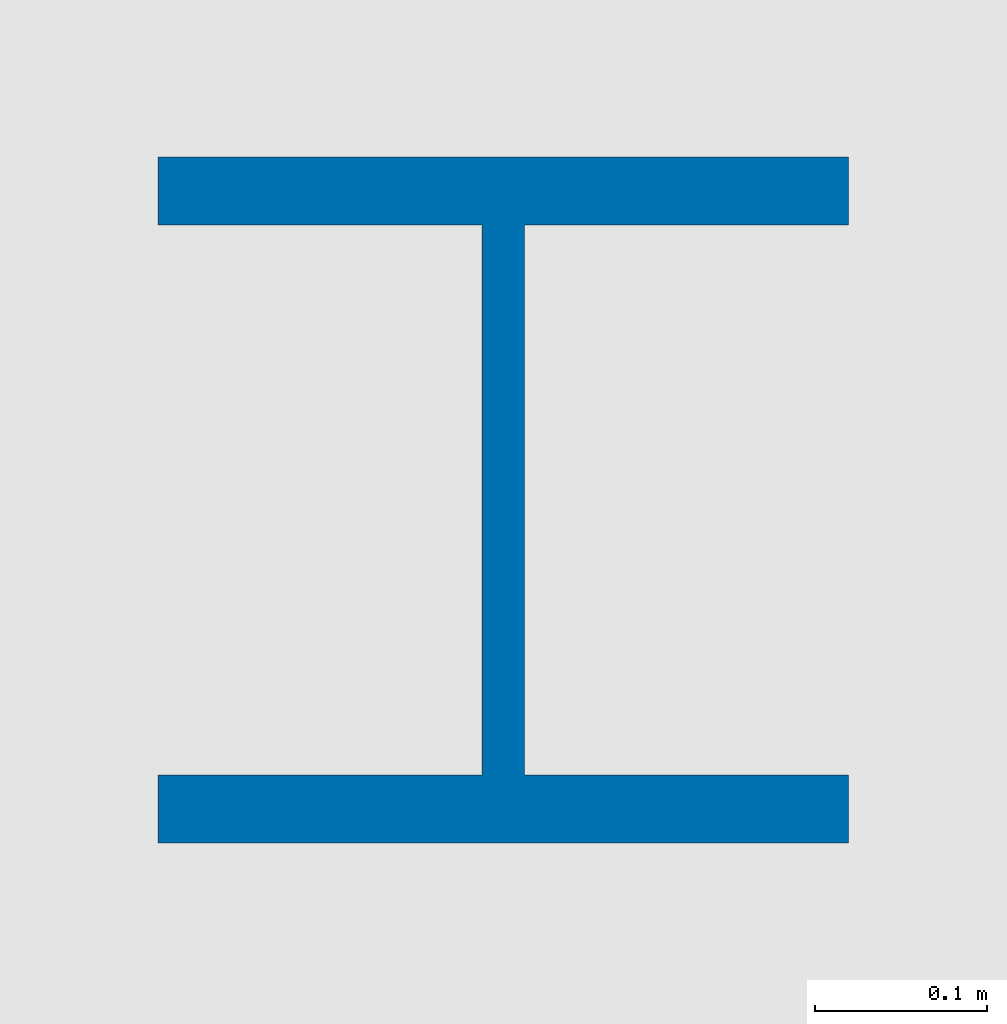
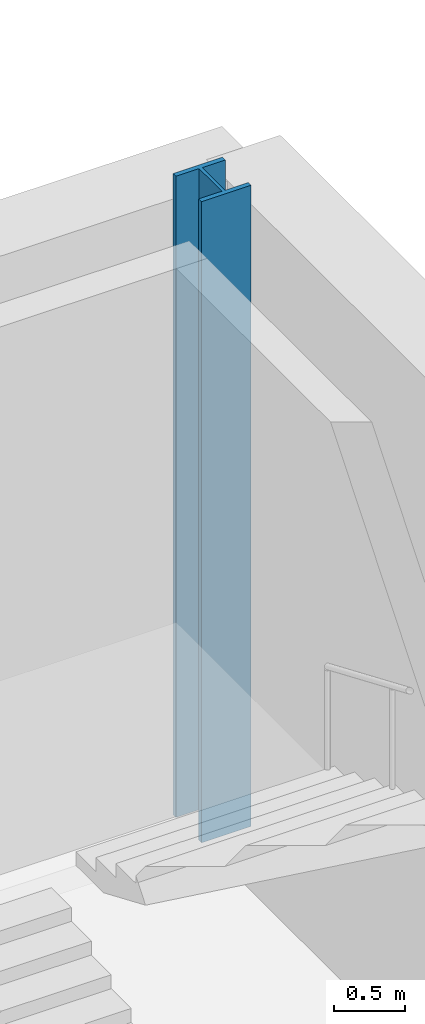
# One storey, part 6 of 28: 1 column.
"""IFC4 building model written with IfcOpenShell, lengths in metres."""

import ifcopenshell
import ifcopenshell.guid

model = None  # the IFC model being written
_history = None  # IfcOwnerHistory: only IFC2X3 demands one
_inside = {}  # id of a spatial element -> (the spatial element, [elements in it])
_under = {}  # id of a project, library or spatial element -> (it, [spatial elements below it])
_declared = {}  # id of a project -> (the project, [libraries it declares])
_typed = {}  # id of a type object -> (the type object, [elements of that type])
_made_of = {}  # id of a material, layer set ... -> (it, [elements and type objects made of it])


def new_model(schema):
    """Start an empty IFC model of exactly this schema.

    Asked for "IFC4X3", IfcOpenShell would pick the latest addendum, in which some entities
    have other attributes; the version numbers below select the first issue.
    IFC2X3 requires an IfcOwnerHistory on every rooted entity: one is made here for all.
    """
    global model, _history
    if schema == "IFC4X3":
        model = ifcopenshell.file(schema_version=(4, 3, 0, 0))
    else:
        model = ifcopenshell.file(schema=schema)
    _inside.clear()
    _under.clear()
    _declared.clear()
    _typed.clear()
    _made_of.clear()
    _history = None
    if model.schema == "IFC2X3":
        org = make("IfcOrganization", Name="unknown")
        user = make(
            "IfcPersonAndOrganization",
            ThePerson=make("IfcPerson", FamilyName="unknown"),
            TheOrganization=org,
        )
        app = make(
            "IfcApplication",
            ApplicationDeveloper=org,
            Version="unknown",
            ApplicationFullName="unknown",
            ApplicationIdentifier="unknown",
        )
        _history = make(
            "IfcOwnerHistory",
            OwningUser=user,
            OwningApplication=app,
            ChangeAction="ADDED",
            CreationDate=0,
        )
    return model


def make(cls, **values):
    """One entity of the class cls with the attributes given. An attribute that is None is left unset."""
    return model.create_entity(
        cls, **{name: value for name, value in values.items() if value is not None}
    )


def rooted(cls, **values):
    """An entity with a GlobalId (a new one), such as an element, a storey or a relation."""
    return make(cls, GlobalId=ifcopenshell.guid.new(), OwnerHistory=_history, **values)


def si_unit(unit_type, name, prefix=None):
    """IfcSIUnit, for example si_unit("LENGTHUNIT", "METRE", prefix="MILLI")."""
    return make("IfcSIUnit", UnitType=unit_type, Prefix=prefix, Name=name)


def assignment(units):
    """IfcUnitAssignment: the units of a project."""
    return None if units is None else make("IfcUnitAssignment", Units=units)


def point(xyz):
    """IfcCartesianPoint."""
    return None if xyz is None else make("IfcCartesianPoint", Coordinates=xyz)


def direction(xyz):
    """IfcDirection."""
    return None if xyz is None else make("IfcDirection", DirectionRatios=xyz)


def frame(location, z_axis=None, x_axis=None):
    """IfcAxis2Placement3D, a coordinate frame: its origin and axes. An axis left out is left unset."""
    return make(
        "IfcAxis2Placement3D",
        Location=point(location),
        Axis=direction(z_axis),
        RefDirection=direction(x_axis),
    )


def frame_2d(location, x_axis=None):
    """IfcAxis2Placement2D, a coordinate frame in the plane: its origin and x axis."""
    return make(
        "IfcAxis2Placement2D", Location=point(location), RefDirection=direction(x_axis)
    )


def origin():
    """The frame at (0, 0, 0) with its axes left unset."""
    return frame((0.0, 0.0, 0.0))


def origin_2d():
    """The frame at (0, 0) in the plane with its x axis left unset."""
    return frame_2d((0.0, 0.0))


def place(relative_to, where):
    """IfcLocalPlacement: puts the frame where relative to a parent placement (None: the world)."""
    return make(
        "IfcLocalPlacement", PlacementRelTo=relative_to, RelativePlacement=where
    )


def context(
    kind, dimensions, precision=None, world=None, true_north=None, identifier=None
):
    """IfcGeometricRepresentationContext, for example the 3D "Model" context."""
    return make(
        "IfcGeometricRepresentationContext",
        ContextIdentifier=identifier,
        ContextType=kind,
        CoordinateSpaceDimension=dimensions,
        Precision=precision,
        WorldCoordinateSystem=world,
        TrueNorth=true_north,
    )


def subcontext(parent, identifier, kind, view, scale=None):
    """IfcGeometricRepresentationSubContext, for example "Body" below "Model"."""
    return make(
        "IfcGeometricRepresentationSubContext",
        ContextIdentifier=identifier,
        ContextType=kind,
        ParentContext=parent,
        TargetScale=scale,
        TargetView=view,
    )


def project(units=None, contexts=None):
    """IfcProject with its units and contexts."""
    return rooted(
        "IfcProject",
        Name="project",
        RepresentationContexts=contexts,
        UnitsInContext=assignment(units),
    )


def spatial(cls, under=None, at=None, **own):
    """A site, building, storey or space (cls), placed at a placement, below another one or the project."""
    s = rooted(cls, ObjectPlacement=at, **own)
    if under is not None:
        _under.setdefault(under.id(), (under, []))[1].append(s)
    return s


def profile(cls, at=None, kind="AREA", **sizes):
    """A parametric profile (cls). Its sizes go by their IFC names, for example OverallWidth=200.0."""
    return make(cls, ProfileType=kind, Position=at, **sizes)


def i_section(**sizes):
    """IfcIShapeProfileDef."""
    return profile("IfcIShapeProfileDef", **sizes)


def extrude(swept, where, along, depth):
    """IfcExtrudedAreaSolid: the profile swept, set in the frame where, extruded along a direction by depth."""
    return make(
        "IfcExtrudedAreaSolid",
        SweptArea=swept,
        Position=where,
        ExtrudedDirection=direction(along),
        Depth=depth,
    )


def shape(context_of_items, identifier, shape_type, items):
    """IfcShapeRepresentation: the items that make up one representation, for example the "Body"."""
    return make(
        "IfcShapeRepresentation",
        ContextOfItems=context_of_items,
        RepresentationIdentifier=identifier,
        RepresentationType=shape_type,
        Items=items,
    )


def material(Name=None, Category=None):
    """IfcMaterial."""
    return make("IfcMaterial", Name=Name, Category=Category)


def material_profile(
    of_material, cross_section, Name=None, Category=None, Priority=None
):
    """IfcMaterialProfile: a cross section and its material."""
    return make(
        "IfcMaterialProfile",
        Name=Name,
        Material=of_material,
        Profile=cross_section,
        Priority=Priority,
        Category=Category,
    )


def profile_set(profiles, Name=None, composite=None):
    """IfcMaterialProfileSet."""
    return make(
        "IfcMaterialProfileSet",
        Name=Name,
        MaterialProfiles=profiles,
        CompositeProfile=composite,
    )


def made_of(thing, what):
    """Note that an element or type object is made of a material, layer set ...; save() writes the relation."""
    if what is not None:
        _made_of.setdefault(what.id(), (what, []))[1].append(thing)
    return thing


def type_object(cls, material=None, **own):
    """A type object (cls), such as IfcWallType, which elements share."""
    return made_of(rooted(cls, **own), material)


def element(
    cls,
    number,
    at=None,
    inside=None,
    cuts=None,
    type_object=None,
    material=None,
    context=None,
    identifier="Body",
    shape_type=None,
    held_by="IfcProductDefinitionShape",
    body=None,
    shapes=None,
    **own,
):
    """One element of the class cls, such as IfcWall. Its Tag is "e" and its number.

    at: its placement. inside: the storey or other place that contains it. cuts: it is an
    opening in that element (IfcRelVoidsElement). A single representation is given by context,
    identifier, shape_type and body (its items); several are given by shapes. held_by: the class
    of the entity that holds the representations. save() writes the other relations.
    """
    e = rooted(cls, Tag="e%d" % number, ObjectPlacement=at, **own)
    if body is not None:
        shapes = [shape(context, identifier, shape_type, body)]
    if shapes is not None:
        e.Representation = make(held_by, Representations=shapes)
    if inside is not None:
        _inside.setdefault(inside.id(), (inside, []))[1].append(e)
    if cuts is not None:
        rooted(
            "IfcRelVoidsElement", RelatingBuildingElement=cuts, RelatedOpeningElement=e
        )
    if type_object is not None:
        _typed.setdefault(type_object.id(), (type_object, []))[1].append(e)
    return made_of(e, material)


def aggregate(whole, parts):
    """IfcRelAggregates: a whole, such as a stair, and the parts it consists of."""
    return rooted("IfcRelAggregates", RelatingObject=whole, RelatedObjects=parts)


def save(model, path):
    """Write the relations noted so far, then the file.

    IfcRelAggregates (storeys below a building ...), IfcRelContainedInSpatialStructure (elements
    in a storey), IfcRelDefinesByType, IfcRelAssociatesMaterial and IfcRelDeclares: one each for
    every whole, place, type object, material and project.
    """
    for whole, parts in _under.values():
        aggregate(whole, parts)
    for where, things in _inside.values():
        rooted(
            "IfcRelContainedInSpatialStructure",
            RelatedElements=things,
            RelatingStructure=where,
        )
    for kind, things in _typed.values():
        rooted("IfcRelDefinesByType", RelatedObjects=things, RelatingType=kind)
    for what, things in _made_of.values():
        rooted("IfcRelAssociatesMaterial", RelatedObjects=things, RelatingMaterial=what)
    for by, libraries in _declared.values():
        rooted("IfcRelDeclares", RelatingContext=by, RelatedDefinitions=libraries)
    model.write(path)


model = new_model("IFC4")

# Units and contexts
model_context = context("Model", 3, precision=1e-05, world=origin(), true_north=direction((0.0, 1.0)))
body_context = subcontext(model_context, "Body", "Model", "MODEL_VIEW")
ifc_project = project(units=[si_unit("LENGTHUNIT", "METRE"), si_unit("AREAUNIT", "SQUARE_METRE"), si_unit("VOLUMEUNIT", "CUBIC_METRE"), si_unit("PLANEANGLEUNIT", "RADIAN"), si_unit("MASSUNIT", "GRAM", prefix="KILO")], contexts=[model_context])

# Site, building, storey
site_placement = place(None, origin())
site = spatial("IfcSite", under=ifc_project, at=site_placement, CompositionType="ELEMENT")
building_placement = place(site_placement, origin())
building = spatial("IfcBuilding", under=site, at=building_placement, Name="Loomwork Tower", CompositionType="ELEMENT")
storey_placement = place(building_placement, frame((0.0, 0.0, -10.5)))
storey = spatial("IfcBuildingStorey", under=building, at=storey_placement, Name="B2", CompositionType="ELEMENT", Elevation=-10.5)

# Column
ifc_material = material(Name="Steel ASTM A992", Category="steel")
ifc_material_profile = material_profile(ifc_material, i_section(OverallWidth=0.4013671875, OverallDepth=0.398681640625, WebThickness=0.02490234375, FlangeThickness=0.03955078125, at=origin_2d()), Name="W14x211")
ifc_profile_set = profile_set([ifc_material_profile], Name="Steel ASTM A992")
column_type = type_object("IfcColumnType", Name="PODIUM COLUMN W14x211", PredefinedType="COLUMN", material=ifc_profile_set)
column_placement = place(storey_placement, frame((63.0, 45.0, -0.5), z_axis=(0.0, 0.0, 1.0), x_axis=(1.0, 0.0, 0.0)))
element("IfcColumn", 1, at=column_placement, inside=storey, type_object=column_type, Name="Podium Column J/9 B2", PredefinedType="COLUMN", context=body_context, shape_type="SweptSolid", body=[
    extrude(i_section(OverallWidth=0.4013671875, OverallDepth=0.398681640625, WebThickness=0.02490234375, FlangeThickness=0.03955078125, at=origin_2d()), origin(), (0.0, 0.0, 1.0), 5.5),
])

save(model, "model.ifc")
